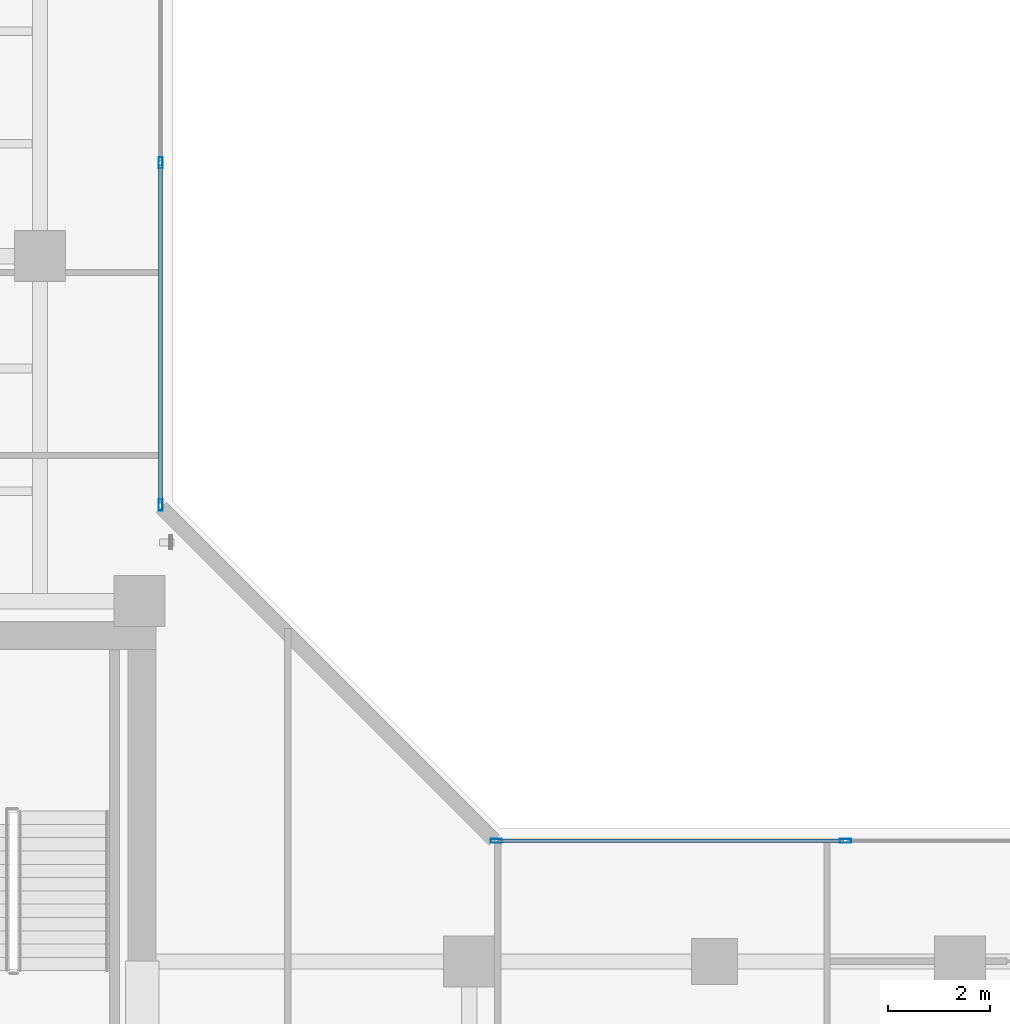
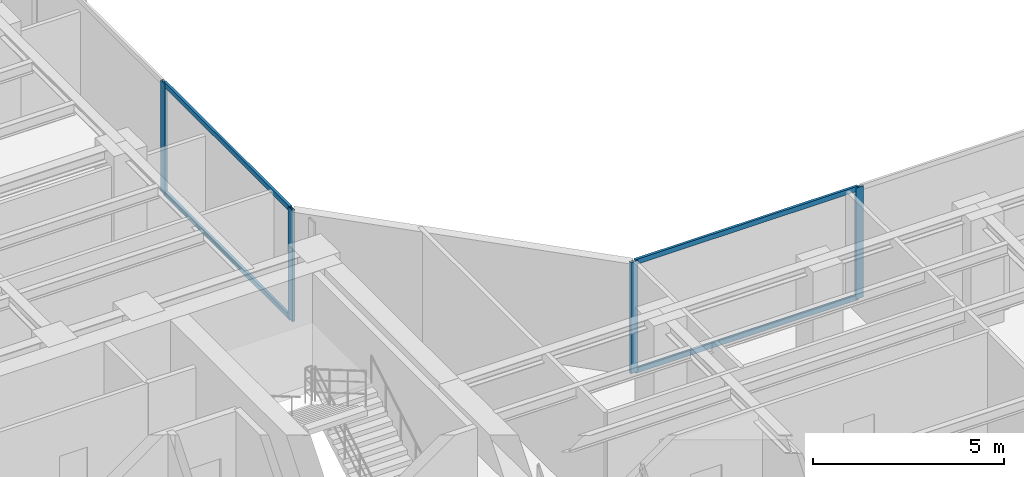
# One storey, part 10 of 23: 8 members, 2 elements without a shape of their own.
"""IFC4 building model written with IfcOpenShell, lengths in metres."""

from ifc_helpers import new_model, si_unit, direction, frame, origin, origin_with_axes, origin_2d, place, context, subcontext, project, spatial, hollow_rectangle, extrude, source, transform, mapped, material, layer, layer_set, material_profile, profile_set, type_object, element, aggregate, save


model = new_model("IFC4")

# Units and contexts
model_context = context("Model", 3, precision=1e-05, world=origin(), true_north=direction((0.0, 1.0)))
body_context = subcontext(model_context, "Body", "Model", "MODEL_VIEW")
ifc_project = project(units=[si_unit("LENGTHUNIT", "METRE"), si_unit("AREAUNIT", "SQUARE_METRE"), si_unit("VOLUMEUNIT", "CUBIC_METRE"), si_unit("PLANEANGLEUNIT", "RADIAN"), si_unit("MASSUNIT", "GRAM", prefix="KILO")], contexts=[model_context])

# Site, building, storey
site_placement = place(None, origin())
site = spatial("IfcSite", under=ifc_project, at=site_placement, CompositionType="ELEMENT")
building_placement = place(site_placement, origin())
building = spatial("IfcBuilding", under=site, at=building_placement, Name="Kolvaren Waterfront Exchange", CompositionType="ELEMENT")
storey_placement = place(building_placement, frame((0.0, 0.0, 234.89990234375)))
storey = spatial("IfcBuildingStorey", under=building, at=storey_placement, Name="L60", CompositionType="ELEMENT", Elevation=234.89990234375)

# Curtain wall, members
ifc_material_1 = material(Name="Anodised bronze aluminium 6063-T6", Category="aluminium")
ifc_layer = layer(ifc_material_1, 0.219970703125, Name="Anodised bronze aluminium 6063-T6")
ifc_layer_set = layer_set([ifc_layer], Name="Anodised bronze aluminium 6063-T6")
curtain_wall_type = type_object("IfcCurtainWallType", Name="ARC-CW-SYS1", PredefinedType="USERDEFINED", material=ifc_layer_set)
curtain_wall_1_placement = place(storey_placement, origin())
curtain_wall_1 = element("IfcCurtainWall", 1, at=curtain_wall_1_placement, inside=storey, type_object=curtain_wall_type, Name="L60 stick curtain wall CW1 (CW-L60-NE)", ObjectType="STICK CURTAIN WALL", PredefinedType="USERDEFINED")
ifc_material_2 = material(Name="Anodised aluminium 6063-T6", Category="aluminium")
ifc_material_profile_1 = material_profile(ifc_material_2, hollow_rectangle(XDim=0.080078125, YDim=0.219970703125, WallThickness=0.0048828125, at=origin_2d()), Name="ALU-MUL-220x80x5")
ifc_profile_set_1 = profile_set([ifc_material_profile_1], Name="Anodised aluminium 6063-T6")
member_type_1 = type_object("IfcMemberType", Name="ARC-CWM-220", PredefinedType="MULLION", material=ifc_profile_set_1)
shared_shape_1 = source(origin_with_axes(), body_context, "Body", "SweptSolid", [
    extrude(hollow_rectangle(XDim=0.080078125, YDim=0.219970703125, WallThickness=0.0048828125, at=origin_2d()), origin(), (0.0, 0.0, 1.0), 3.56005859375),
])
member_1_placement = place(storey_placement, frame((21.159912109375, 26.330078125, 0.0), z_axis=(0.0, 0.0, 1.0), x_axis=(-1.0, 0.0, 0.0)))
member_1 = element("IfcMember", 2, at=member_1_placement, type_object=member_type_1, Name="CW1 mullion 1", PredefinedType="MULLION", context=body_context, shape_type="MappedRepresentation", body=[
    mapped(shared_shape_1, transform((0.0, 0.0, 0.0), x_axis=(1.0, 0.0, 0.0), y_axis=(0.0, 1.0, 0.0), z_axis=(0.0, 0.0, 1.0), scale=1.0)),
])
member_2_placement = place(storey_placement, frame((21.159912109375, 33.026611328125, 0.0), z_axis=(0.0, 0.0, 1.0), x_axis=(-1.0, 0.0, 0.0)))
member_2 = element("IfcMember", 3, at=member_2_placement, type_object=member_type_1, Name="CW1 mullion 2", PredefinedType="MULLION", context=body_context, shape_type="MappedRepresentation", body=[
    mapped(shared_shape_1, transform((0.0, 0.0, 0.0), x_axis=(1.0, 0.0, 0.0), y_axis=(0.0, 1.0, 0.0), z_axis=(0.0, 0.0, 1.0), scale=1.0)),
])

curtain_wall_2_placement = place(storey_placement, origin())
curtain_wall_2 = element("IfcCurtainWall", 4, at=curtain_wall_2_placement, inside=storey, type_object=curtain_wall_type, Name="L60 stick curtain wall CW1 (CW-L60-EN)", ObjectType="STICK CURTAIN WALL", PredefinedType="USERDEFINED")
member_3_placement = place(storey_placement, frame((27.72998046875, 19.760009765625, 0.0), z_axis=(0.0, 0.0, 1.0), x_axis=(0.0, 1.0, 0.0)))
member_3 = element("IfcMember", 5, at=member_3_placement, type_object=member_type_1, Name="CW1 mullion 1", PredefinedType="MULLION", context=body_context, shape_type="MappedRepresentation", body=[
    mapped(shared_shape_1, transform((0.0, 0.0, 0.0), x_axis=(1.0, 0.0, 0.0), y_axis=(0.0, 1.0, 0.0), z_axis=(0.0, 0.0, 1.0), scale=1.0)),
])
member_4_placement = place(storey_placement, frame((34.56005859375, 19.760009765625, 0.0), z_axis=(0.0, 0.0, 1.0), x_axis=(0.0, 1.0, 0.0)))
member_4 = element("IfcMember", 6, at=member_4_placement, type_object=member_type_1, Name="CW1 mullion 2", PredefinedType="MULLION", context=body_context, shape_type="MappedRepresentation", body=[
    mapped(shared_shape_1, transform((0.0, 0.0, 0.0), x_axis=(1.0, 0.0, 0.0), y_axis=(0.0, 1.0, 0.0), z_axis=(0.0, 0.0, 1.0), scale=1.0)),
])

# Member
ifc_material_profile_2 = material_profile(ifc_material_2, hollow_rectangle(XDim=0.074951171875, YDim=0.159912109375, WallThickness=0.00439453125, at=origin_2d()), Name="ALU-TRN-160x75x4.5")
ifc_profile_set_2 = profile_set([ifc_material_profile_2], Name="Anodised aluminium 6063-T6")
member_type_2 = type_object("IfcMemberType", Name="ARC-CWT-160", PredefinedType="USERDEFINED", material=ifc_profile_set_2)
shared_shape_2 = source(origin_with_axes(), body_context, "Body", "SweptSolid", [
    extrude(hollow_rectangle(XDim=0.074951171875, YDim=0.159912109375, WallThickness=0.00439453125, at=origin_2d()), origin(), (0.0, 0.0, 1.0), 6.616455078125),
])
member_5_placement = place(storey_placement, frame((21.159912109375, 26.3701171875, 0.03759765625), z_axis=(0.0, 1.0, 0.0), x_axis=(-1.0, 0.0, 0.0)))
member_5 = element("IfcMember", 7, at=member_5_placement, type_object=member_type_2, Name="CW1 transom 1.1", ObjectType="TRANSOM", PredefinedType="USERDEFINED", context=body_context, shape_type="MappedRepresentation", body=[
    mapped(shared_shape_2, transform((0.0, 0.0, 0.0), x_axis=(1.0, 0.0, 0.0), y_axis=(0.0, 1.0, 0.0), z_axis=(0.0, 0.0, 1.0), scale=1.0)),
])

member_6_placement = place(storey_placement, frame((21.159912109375, 26.3701171875, 3.522705078125), z_axis=(0.0, 1.0, 0.0), x_axis=(-1.0, 0.0, 0.0)))
member_6 = element("IfcMember", 8, at=member_6_placement, type_object=member_type_2, Name="CW1 transom 1.2", ObjectType="TRANSOM", PredefinedType="USERDEFINED", context=body_context, shape_type="MappedRepresentation", body=[
    mapped(shared_shape_2, transform((0.0, 0.0, 0.0), x_axis=(1.0, 0.0, 0.0), y_axis=(0.0, 1.0, 0.0), z_axis=(0.0, 0.0, 1.0), scale=1.0)),
])

aggregate(curtain_wall_1, [member_1, member_2, member_5, member_6])

shared_shape_3 = source(origin_with_axes(), body_context, "Body", "SweptSolid", [
    extrude(hollow_rectangle(XDim=0.074951171875, YDim=0.159912109375, WallThickness=0.00439453125, at=origin_2d()), origin(), (0.0, 0.0, 1.0), 6.75),
])
member_7_placement = place(storey_placement, frame((27.77001953125, 19.760009765625, 0.03759765625), z_axis=(1.0, 0.0, 0.0), x_axis=(0.0, 1.0, 0.0)))
member_7 = element("IfcMember", 9, at=member_7_placement, type_object=member_type_2, Name="CW1 transom 1.1", ObjectType="TRANSOM", PredefinedType="USERDEFINED", context=body_context, shape_type="MappedRepresentation", body=[
    mapped(shared_shape_3, transform((0.0, 0.0, 0.0), x_axis=(1.0, 0.0, 0.0), y_axis=(0.0, 1.0, 0.0), z_axis=(0.0, 0.0, 1.0), scale=1.0)),
])

member_8_placement = place(storey_placement, frame((27.77001953125, 19.760009765625, 3.522705078125), z_axis=(1.0, 0.0, 0.0), x_axis=(0.0, 1.0, 0.0)))
member_8 = element("IfcMember", 10, at=member_8_placement, type_object=member_type_2, Name="CW1 transom 1.2", ObjectType="TRANSOM", PredefinedType="USERDEFINED", context=body_context, shape_type="MappedRepresentation", body=[
    mapped(shared_shape_3, transform((0.0, 0.0, 0.0), x_axis=(1.0, 0.0, 0.0), y_axis=(0.0, 1.0, 0.0), z_axis=(0.0, 0.0, 1.0), scale=1.0)),
])

aggregate(curtain_wall_2, [member_3, member_4, member_7, member_8])

save(model, "model.ifc")
